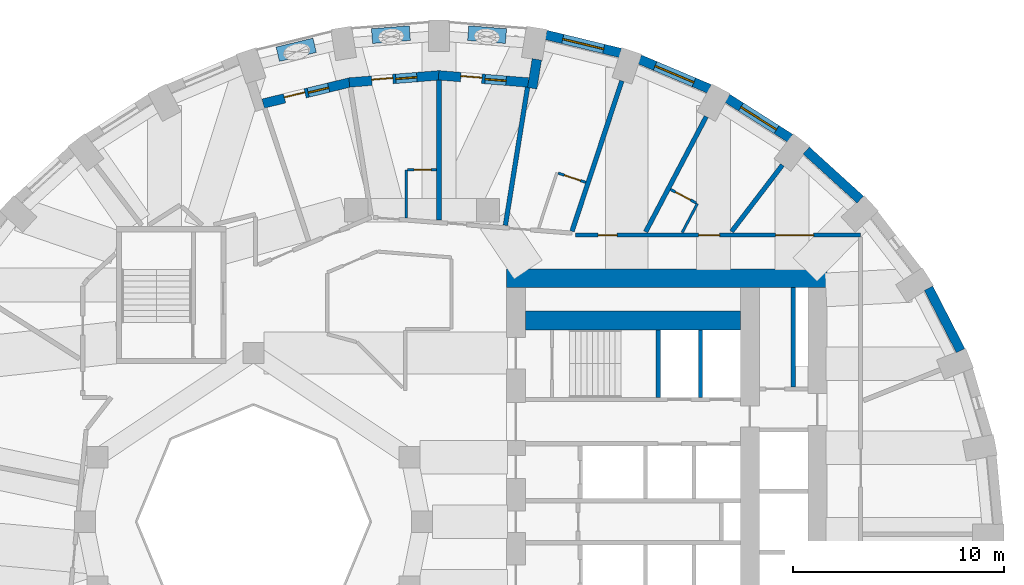
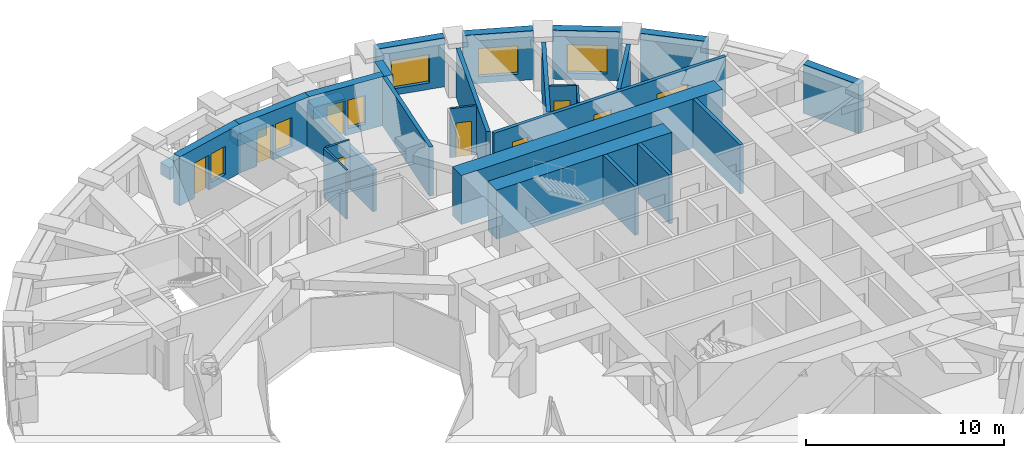
# One storey, part 8 of 12: 28 walls, 9 doors, 6 windows, 15 openings.
"""IFC4 building model written with IfcOpenShell, lengths in metres."""

from ifc_helpers import new_model, si_unit, direction, frame, frame_2d, origin, place, context, subcontext, project, spatial, rectangle, extrude, material, layer, layer_set, constituent, constituent_set, type_object, element, fill, save


model = new_model("IFC4")

# Units and contexts
model_context = context("Model", 3, precision=1e-05, world=origin(), true_north=direction((0.0, 1.0)))
body_context = subcontext(model_context, "Body", "Model", "MODEL_VIEW")
ifc_project = project(units=[si_unit("LENGTHUNIT", "METRE"), si_unit("AREAUNIT", "SQUARE_METRE"), si_unit("VOLUMEUNIT", "CUBIC_METRE"), si_unit("PLANEANGLEUNIT", "RADIAN"), si_unit("MASSUNIT", "GRAM", prefix="KILO")], contexts=[model_context])

# Site, building, storey
site_placement = place(None, origin())
site = spatial("IfcSite", under=ifc_project, at=site_placement, CompositionType="ELEMENT")
building_placement = place(site_placement, origin())
building = spatial("IfcBuilding", under=site, at=building_placement, Name="Taillehof Tower", CompositionType="ELEMENT")
storey_placement = place(building_placement, frame((0.0, 0.0, 128.5)))
storey = spatial("IfcBuildingStorey", under=building, at=storey_placement, Name="L36", CompositionType="ELEMENT", Elevation=128.5)

# Walls
ifc_material_1 = material(Name="Brick masonry", Category="masonry")
ifc_layer_1 = layer(ifc_material_1, 0.449951171875)
ifc_layer_set_1 = layer_set([ifc_layer_1], Name="Brick infill wall 450")
wall_type_1 = type_object("IfcWallType", Name="Brick infill wall 450", PredefinedType="SOLIDWALL", material=ifc_layer_set_1)
wall_1_placement = place(storey_placement, frame((25.545166015625, 8.1123046875, 0.0), z_axis=(0.0, 0.0, 1.0), x_axis=(-0.456828186229, 0.889554949549, 0.0)))
element("IfcWall", 1, at=wall_1_placement, inside=storey, type_object=wall_type_1, Name="Brick wall L36 bay 3", PredefinedType="SOLIDWALL", context=body_context, shape_type="SweptSolid", body=[
    extrude(rectangle(XDim=3.332763671875, YDim=0.449951171875, at=frame_2d((1.66650390625, 0.0))), origin(), (0.0, 0.0, 1.0), 3.02001953125),
])
wall_2_placement = place(storey_placement, frame((20.783935546875, 15.281005859375, 0.0), z_axis=(0.0, 0.0, 1.0), x_axis=(-0.74032902847, 0.672244694739, 0.0)))
element("IfcWall", 2, at=wall_2_placement, inside=storey, type_object=wall_type_1, Name="Brick wall L36 bay 5", PredefinedType="SOLIDWALL", context=body_context, shape_type="SweptSolid", body=[
    extrude(rectangle(XDim=3.4638671875, YDim=0.449951171875, at=frame_2d((1.73193359375, 0.0))), origin(), (0.0, 0.0, 1.0), 3.02001953125),
])

# Wall, opening, window
wall_3_placement = place(storey_placement, frame((17.456298828125, 18.19189453125, 0.0), z_axis=(0.0, 0.0, 1.0), x_axis=(-0.843880549131, 0.536531097699, 0.0)))
wall_3 = element("IfcWall", 3, at=wall_3_placement, inside=storey, type_object=wall_type_1, Name="Brick wall L36 bay 6", PredefinedType="SOLIDWALL", context=body_context, shape_type="SweptSolid", body=[
    extrude(rectangle(XDim=3.532470703125, YDim=0.449951171875, at=frame_2d((1.76611328125, 0.0))), origin(), (0.0, 0.0, 1.0), 3.02001953125),
])
opening_1_placement = place(wall_3_placement, frame((0.76611328125, 0.0, 0.39990234375)))
opening_1 = element("IfcOpeningElement", 4, at=opening_1_placement, cuts=wall_3, Name="Opening W2", PredefinedType="OPENING", context=body_context, shape_type="SweptSolid", body=[
    extrude(rectangle(XDim=2.0, YDim=1.75, at=frame_2d((1.0, 0.875))), frame((0.0, 0.23486328125, 0.0), z_axis=(0.0, -1.0, 0.0), x_axis=(1.0, 0.0, 0.0)), (0.0, 0.0, 1.0), 0.469970703125),
])
ifc_material_2 = material(Name="Aluminium window frame with clear double glazing", Category="aluminium")
window_type_1 = type_object("IfcWindowType", Name="Deep-set window 2000x1750", PartitioningType="SINGLE_PANEL", PredefinedType="WINDOW", material=ifc_material_2)
window_1_placement = place(opening_1_placement, origin())
window_1 = element("IfcWindow", 5, at=window_1_placement, inside=storey, type_object=window_type_1, Name="W2", OverallHeight=1.75, OverallWidth=2.0, PartitioningType="SINGLE_PANEL", PredefinedType="WINDOW", context=body_context, shape_type="SweptSolid", body=[
    extrude(rectangle(XDim=2.0, YDim=1.75, at=frame_2d((1.0, 0.875))), frame((0.0, 0.034912109375, 0.0), z_axis=(0.0, -1.0, 0.0), x_axis=(1.0, 0.0, 0.0)), (0.0, 0.0, 1.0), 0.06005859375),
])
fill(opening_1, window_1)

wall_4_placement = place(storey_placement, frame((13.625244140625, 20.533447265625, 0.0), z_axis=(0.0, 0.0, 1.0), x_axis=(-0.920869643542, 0.389870619055, 0.0)))
wall_4 = element("IfcWall", 6, at=wall_4_placement, inside=storey, type_object=wall_type_1, Name="Brick wall L36 bay 7", PredefinedType="SOLIDWALL", context=body_context, shape_type="SweptSolid", body=[
    extrude(rectangle(XDim=3.59130859375, YDim=0.449951171875, at=frame_2d((1.795654296875, 0.0))), origin(), (0.0, 0.0, 1.0), 3.02001953125),
])
opening_2_placement = place(wall_4_placement, frame((0.795654296875, 0.0, 0.39990234375)))
opening_2 = element("IfcOpeningElement", 7, at=opening_2_placement, cuts=wall_4, Name="Opening W2", PredefinedType="OPENING", context=body_context, shape_type="SweptSolid", body=[
    extrude(rectangle(XDim=2.0, YDim=1.75, at=frame_2d((1.0, 0.875))), frame((0.0, 0.23486328125, 0.0), z_axis=(0.0, -1.0, 0.0), x_axis=(1.0, 0.0, 0.0)), (0.0, 0.0, 1.0), 0.469970703125),
])
window_2_placement = place(opening_2_placement, origin())
window_2 = element("IfcWindow", 8, at=window_2_placement, inside=storey, type_object=window_type_1, Name="W2", OverallHeight=1.75, OverallWidth=2.0, PartitioningType="SINGLE_PANEL", PredefinedType="WINDOW", context=body_context, shape_type="SweptSolid", body=[
    extrude(rectangle(XDim=2.0, YDim=1.75, at=frame_2d((1.0, 0.875))), frame((0.0, 0.034912109375, 0.0), z_axis=(0.0, -1.0, 0.0), x_axis=(1.0, 0.0, 0.0)), (0.0, 0.0, 1.0), 0.06005859375),
])
fill(opening_2, window_2)

wall_5_placement = place(storey_placement, frame((9.406494140625, 22.2353515625, 0.0), z_axis=(0.0, 0.0, 1.0), x_axis=(-0.971667603162, 0.236351579148, 0.0)))
wall_5 = element("IfcWall", 9, at=wall_5_placement, inside=storey, type_object=wall_type_1, Name="Brick wall L36 bay 8", PredefinedType="SOLIDWALL", context=body_context, shape_type="SweptSolid", body=[
    extrude(rectangle(XDim=3.635009765625, YDim=0.449951171875, at=frame_2d((1.8173828125, 0.0))), origin(), (0.0, 0.0, 1.0), 3.02001953125),
])
opening_3_placement = place(wall_5_placement, frame((0.8173828125, 0.0, 0.39990234375)))
opening_3 = element("IfcOpeningElement", 10, at=opening_3_placement, cuts=wall_5, Name="Opening W2", PredefinedType="OPENING", context=body_context, shape_type="SweptSolid", body=[
    extrude(rectangle(XDim=2.0, YDim=1.75, at=frame_2d((1.0, 0.875))), frame((0.0, 0.23486328125, 0.0), z_axis=(0.0, -1.0, 0.0), x_axis=(1.0, 0.0, 0.0)), (0.0, 0.0, 1.0), 0.469970703125),
])
window_3_placement = place(opening_3_placement, origin())
window_3 = element("IfcWindow", 11, at=window_3_placement, inside=storey, type_object=window_type_1, Name="W2", OverallHeight=1.75, OverallWidth=2.0, PartitioningType="SINGLE_PANEL", PredefinedType="WINDOW", context=body_context, shape_type="SweptSolid", body=[
    extrude(rectangle(XDim=2.0, YDim=1.75, at=frame_2d((1.0, 0.875))), frame((0.0, 0.034912109375, 0.0), z_axis=(0.0, -1.0, 0.0), x_axis=(1.0, 0.0, 0.0)), (0.0, 0.0, 1.0), 0.06005859375),
])
fill(opening_3, window_3)

# Wall
wall_6_placement = place(storey_placement, frame((5.44140625, 21.932373046875, 0.0), z_axis=(0.0, 0.0, 1.0), x_axis=(-0.158586380547, -0.987345106792, 0.0)))
element("IfcWall", 12, at=wall_6_placement, inside=storey, type_object=wall_type_1, Name="Brick reveal L36 pocket 2", PredefinedType="SOLIDWALL", context=body_context, shape_type="SweptSolid", body=[
    extrude(rectangle(XDim=1.39013671875, YDim=0.449951171875, at=frame_2d((0.695068359375, 0.0))), origin(), (0.0, 0.0, 1.0), 3.02001953125),
])

# Wall, openings, door, window
wall_7_placement = place(storey_placement, frame((5.03759765625, 20.836669921875, 0.0), z_axis=(0.0, 0.0, 1.0), x_axis=(-0.996839780714, 0.079438350855, 0.0)))
wall_7 = element("IfcWall", 13, at=wall_7_placement, inside=storey, type_object=wall_type_1, Name="Brick wall L36 pocket bay 9", PredefinedType="SOLIDWALL", context=body_context, shape_type="SweptSolid", body=[
    extrude(rectangle(XDim=4.268798828125, YDim=0.449951171875, at=frame_2d((2.13427734375, 0.0))), origin(), (0.0, 0.0, 1.0), 3.02001953125),
])
opening_4_placement = place(wall_7_placement, frame((1.0595703125, 0.0, 0.39990234375)))
opening_4 = element("IfcOpeningElement", 14, at=opening_4_placement, cuts=wall_7, Name="Opening W5", PredefinedType="OPENING", context=body_context, shape_type="SweptSolid", body=[
    extrude(rectangle(XDim=1.0, YDim=1.75, at=frame_2d((0.5, 0.875))), frame((0.0, 0.23486328125, 0.0), z_axis=(0.0, -1.0, 0.0), x_axis=(1.0, 0.0, 0.0)), (0.0, 0.0, 1.0), 0.469970703125),
])
opening_5_placement = place(wall_7_placement, frame((2.20947265625, 0.0, 0.0)))
opening_5 = element("IfcOpeningElement", 15, at=opening_5_placement, cuts=wall_7, Name="Opening D3691", PredefinedType="OPENING", context=body_context, shape_type="SweptSolid", body=[
    extrude(rectangle(XDim=1.0, YDim=2.14990234375, at=frame_2d((0.5, 1.074951171875))), frame((0.0, 0.23486328125, 0.0), z_axis=(0.0, -1.0, 0.0), x_axis=(1.0, 0.0, 0.0)), (0.0, 0.0, 1.0), 0.469970703125),
])
ifc_material_3 = material(Name="Aluminium door frame with clear double glazing", Category="aluminium")
door_type_1 = type_object("IfcDoorType", Name="Balcony door 1000x2150", OperationType="SINGLE_SWING_RIGHT", PredefinedType="DOOR", material=ifc_material_3)
door_1_placement = place(opening_5_placement, frame((1.0, 0.0, 0.0), z_axis=(0.0, 0.0, 1.0), x_axis=(-1.0, 0.0, 0.0)))
door_1 = element("IfcDoor", 16, at=door_1_placement, inside=storey, type_object=door_type_1, Name="Balcony door L36 bay 9", OperationType="SINGLE_SWING_RIGHT", OverallHeight=2.14990234375, OverallWidth=1.0, PredefinedType="DOOR", context=body_context, shape_type="SweptSolid", body=[
    extrude(rectangle(XDim=1.0, YDim=2.14990234375, at=frame_2d((0.5, 1.074951171875))), frame((0.0, 0.0751953125, 0.0), z_axis=(0.0, -1.0, 0.0), x_axis=(1.0, 0.0, 0.0)), (0.0, 0.0, 1.0), 0.050048828125),
])
fill(opening_5, door_1)
ifc_material_4 = material(Name="Aluminium window frame with clear double glazing", Category="aluminium")
window_type_2 = type_object("IfcWindowType", Name="Fixed window 1000x1750", PartitioningType="SINGLE_PANEL", PredefinedType="WINDOW", material=ifc_material_4)
window_4_placement = place(opening_4_placement, origin())
window_4 = element("IfcWindow", 17, at=window_4_placement, inside=storey, type_object=window_type_2, Name="W5", OverallHeight=1.75, OverallWidth=1.0, PartitioningType="SINGLE_PANEL", PredefinedType="WINDOW", context=body_context, shape_type="SweptSolid", body=[
    extrude(rectangle(XDim=1.0, YDim=1.75, at=frame_2d((0.5, 0.875))), frame((0.0, 0.034912109375, 0.0), z_axis=(0.0, -1.0, 0.0), x_axis=(1.0, 0.0, 0.0)), (0.0, 0.0, 1.0), 0.06005859375),
])
fill(opening_4, window_4)

wall_8_placement = place(storey_placement, frame((0.81787109375, 21.17578125, 0.0), z_axis=(0.0, 0.0, 1.0), x_axis=(-0.996843824935, -0.079387585235, 0.0)))
wall_8 = element("IfcWall", 18, at=wall_8_placement, inside=storey, type_object=wall_type_1, Name="Brick wall L36 pocket bay 10", PredefinedType="SOLIDWALL", context=body_context, shape_type="SweptSolid", body=[
    extrude(rectangle(XDim=4.286865234375, YDim=0.449951171875, at=frame_2d((2.1435546875, 0.0))), origin(), (0.0, 0.0, 1.0), 3.02001953125),
])
opening_6_placement = place(wall_8_placement, frame((1.068359375, 0.0, 0.39990234375)))
opening_6 = element("IfcOpeningElement", 19, at=opening_6_placement, cuts=wall_8, Name="Opening W5", PredefinedType="OPENING", context=body_context, shape_type="SweptSolid", body=[
    extrude(rectangle(XDim=1.0, YDim=1.75, at=frame_2d((0.5, 0.875))), frame((0.0, 0.23486328125, 0.0), z_axis=(0.0, -1.0, 0.0), x_axis=(1.0, 0.0, 0.0)), (0.0, 0.0, 1.0), 0.469970703125),
])
opening_7_placement = place(wall_8_placement, frame((2.218505859375, 0.0, 0.0)))
opening_7 = element("IfcOpeningElement", 20, at=opening_7_placement, cuts=wall_8, Name="Opening D3692", PredefinedType="OPENING", context=body_context, shape_type="SweptSolid", body=[
    extrude(rectangle(XDim=1.0, YDim=2.14990234375, at=frame_2d((0.5, 1.074951171875))), frame((0.0, 0.23486328125, 0.0), z_axis=(0.0, -1.0, 0.0), x_axis=(1.0, 0.0, 0.0)), (0.0, 0.0, 1.0), 0.469970703125),
])
door_2_placement = place(opening_7_placement, frame((1.0, 0.0, 0.0), z_axis=(0.0, 0.0, 1.0), x_axis=(-1.0, 0.0, 0.0)))
door_2 = element("IfcDoor", 21, at=door_2_placement, inside=storey, type_object=door_type_1, Name="Balcony door L36 bay 10", OperationType="SINGLE_SWING_LEFT", OverallHeight=2.14990234375, OverallWidth=1.0, PredefinedType="DOOR", context=body_context, shape_type="SweptSolid", body=[
    extrude(rectangle(XDim=1.0, YDim=2.14990234375, at=frame_2d((0.5, 1.074951171875))), frame((0.0, 0.0751953125, 0.0), z_axis=(0.0, -1.0, 0.0), x_axis=(1.0, 0.0, 0.0)), (0.0, 0.0, 1.0), 0.050048828125),
])
fill(opening_7, door_2)
window_5_placement = place(opening_6_placement, origin())
window_5 = element("IfcWindow", 22, at=window_5_placement, inside=storey, type_object=window_type_2, Name="W5", OverallHeight=1.75, OverallWidth=1.0, PartitioningType="SINGLE_PANEL", PredefinedType="WINDOW", context=body_context, shape_type="SweptSolid", body=[
    extrude(rectangle(XDim=1.0, YDim=1.75, at=frame_2d((0.5, 0.875))), frame((0.0, 0.034912109375, 0.0), z_axis=(0.0, -1.0, 0.0), x_axis=(1.0, 0.0, 0.0)), (0.0, 0.0, 1.0), 0.06005859375),
])
fill(opening_6, window_5)

wall_9_placement = place(storey_placement, frame((-3.419921875, 20.841064453125, 0.0), z_axis=(0.0, 0.0, 1.0), x_axis=(-0.971511611373, -0.23699195971, 0.0)))
wall_9 = element("IfcWall", 23, at=wall_9_placement, inside=storey, type_object=wall_type_1, Name="Brick wall L36 pocket bay 11", PredefinedType="SOLIDWALL", context=body_context, shape_type="SweptSolid", body=[
    extrude(rectangle(XDim=4.2412109375, YDim=0.449951171875, at=frame_2d((2.12060546875, 0.0))), origin(), (0.0, 0.0, 1.0), 3.02001953125),
])
opening_8_placement = place(wall_9_placement, frame((1.04541015625, 0.0, 0.39990234375)))
opening_8 = element("IfcOpeningElement", 24, at=opening_8_placement, cuts=wall_9, Name="Opening W5", PredefinedType="OPENING", context=body_context, shape_type="SweptSolid", body=[
    extrude(rectangle(XDim=1.0, YDim=1.75, at=frame_2d((0.5, 0.875))), frame((0.0, 0.23486328125, 0.0), z_axis=(0.0, -1.0, 0.0), x_axis=(1.0, 0.0, 0.0)), (0.0, 0.0, 1.0), 0.469970703125),
])
opening_9_placement = place(wall_9_placement, frame((2.195556640625, 0.0, 0.0)))
opening_9 = element("IfcOpeningElement", 25, at=opening_9_placement, cuts=wall_9, Name="Opening D3693", PredefinedType="OPENING", context=body_context, shape_type="SweptSolid", body=[
    extrude(rectangle(XDim=1.0, YDim=2.14990234375, at=frame_2d((0.5, 1.074951171875))), frame((0.0, 0.23486328125, 0.0), z_axis=(0.0, -1.0, 0.0), x_axis=(1.0, 0.0, 0.0)), (0.0, 0.0, 1.0), 0.469970703125),
])
door_3_placement = place(opening_9_placement, frame((1.0, 0.0, 0.0), z_axis=(0.0, 0.0, 1.0), x_axis=(-1.0, 0.0, 0.0)))
door_3 = element("IfcDoor", 26, at=door_3_placement, inside=storey, type_object=door_type_1, Name="Balcony door L36 bay 11", OperationType="SINGLE_SWING_LEFT", OverallHeight=2.14990234375, OverallWidth=1.0, PredefinedType="DOOR", context=body_context, shape_type="SweptSolid", body=[
    extrude(rectangle(XDim=1.0, YDim=2.14990234375, at=frame_2d((0.5, 1.074951171875))), frame((0.0, 0.0751953125, 0.0), z_axis=(0.0, -1.0, 0.0), x_axis=(1.0, 0.0, 0.0)), (0.0, 0.0, 1.0), 0.050048828125),
])
fill(opening_9, door_3)
window_6_placement = place(opening_8_placement, origin())
window_6 = element("IfcWindow", 27, at=window_6_placement, inside=storey, type_object=window_type_2, Name="W5", OverallHeight=1.75, OverallWidth=1.0, PartitioningType="SINGLE_PANEL", PredefinedType="WINDOW", context=body_context, shape_type="SweptSolid", body=[
    extrude(rectangle(XDim=1.0, YDim=1.75, at=frame_2d((0.5, 0.875))), frame((0.0, 0.034912109375, 0.0), z_axis=(0.0, -1.0, 0.0), x_axis=(1.0, 0.0, 0.0)), (0.0, 0.0, 1.0), 0.06005859375),
])
fill(opening_8, window_6)

# Wall
ifc_material_5 = material(Name="Calcium silicate masonry", Category="masonry")
ifc_layer_2 = layer(ifc_material_5, 0.199951171875)
ifc_layer_set_2 = layer_set([ifc_layer_2], Name="Compartment wall calcium silicate 200")
wall_type_2 = type_object("IfcWallType", Name="Compartment wall calcium silicate 200", PredefinedType="PARTITIONING", material=ifc_layer_set_2)
wall_10_placement = place(storey_placement, frame((17.60009765625, 6.39990234375, 0.0), z_axis=(0.0, 0.0, 1.0), x_axis=(0.0, 1.0, 0.0)))
element("IfcWall", 28, at=wall_10_placement, inside=storey, type_object=wall_type_2, Name="Compartment wall FW", PredefinedType="PARTITIONING", context=body_context, shape_type="SweptSolid", body=[
    extrude(rectangle(XDim=4.7001953125, YDim=0.199951171875, at=frame_2d((2.35009765625, 0.0))), origin(), (0.0, 0.0, 1.0), 3.02001953125),
])

# Wall, openings, doors
ifc_material_6 = material(Name="Gypsum board on steel studs, two layers each side", Category="steel")
ifc_layer_3 = layer(ifc_material_6, 0.199951171875)
ifc_layer_set_3 = layer_set([ifc_layer_3], Name="Compartment wall corridor 200")
wall_type_3 = type_object("IfcWallType", Name="Compartment wall corridor 200", PredefinedType="PARTITIONING", material=ifc_layer_set_3)
wall_11_placement = place(storey_placement, frame((7.276123046875, 13.60009765625, 0.0), z_axis=(0.0, 0.0, 1.0), x_axis=(1.0, 0.0, 0.0)))
wall_11 = element("IfcWall", 29, at=wall_11_placement, inside=storey, type_object=wall_type_3, Name="Compartment wall", PredefinedType="PARTITIONING", context=body_context, shape_type="SweptSolid", body=[
    extrude(rectangle(XDim=13.52392578125, YDim=0.199951171875, at=frame_2d((6.761962890625, 0.0))), origin(), (0.0, 0.0, 1.0), 3.02001953125),
])
opening_10_placement = place(wall_11_placement, frame((5.839111328125, 0.0, 0.0)))
opening_10 = element("IfcOpeningElement", 30, at=opening_10_placement, cuts=wall_11, Name="Opening D3640", PredefinedType="OPENING", context=body_context, shape_type="SweptSolid", body=[
    extrude(rectangle(XDim=1.0, YDim=2.10009765625, at=frame_2d((0.5, 1.050048828125))), frame((0.0, 0.10986328125, 0.0), z_axis=(0.0, -1.0, 0.0), x_axis=(1.0, 0.0, 0.0)), (0.0, 0.0, 1.0), 0.219970703125),
])
opening_11_placement = place(wall_11_placement, frame((1.072509765625, 0.0, 0.0)))
opening_11 = element("IfcOpeningElement", 31, at=opening_11_placement, cuts=wall_11, Name="Opening D3642", PredefinedType="OPENING", context=body_context, shape_type="SweptSolid", body=[
    extrude(rectangle(XDim=0.89990234375, YDim=2.10009765625, at=frame_2d((0.449951171875, 1.050048828125))), frame((0.0, 0.10986328125, 0.0), z_axis=(0.0, -1.0, 0.0), x_axis=(1.0, 0.0, 0.0)), (0.0, 0.0, 1.0), 0.219970703125),
])
opening_12_placement = place(wall_11_placement, frame((9.49365234375, 0.0, 0.0)))
opening_12 = element("IfcOpeningElement", 32, at=opening_12_placement, cuts=wall_11, Name="Opening D3667", PredefinedType="OPENING", context=body_context, shape_type="SweptSolid", body=[
    extrude(rectangle(XDim=1.800048828125, YDim=2.10009765625, at=frame_2d((0.89990234375, 1.050048828125))), frame((0.0, 0.10986328125, 0.0), z_axis=(0.0, -1.0, 0.0), x_axis=(1.0, 0.0, 0.0)), (0.0, 0.0, 1.0), 0.219970703125),
])
ifc_material_7 = material(Name="Timber door leaf in steel frame", Category="steel")
door_type_2 = type_object("IfcDoorType", Name="Guest room door EI 30 1000 x 2100", OperationType="SINGLE_SWING_LEFT", PredefinedType="DOOR", material=ifc_material_7)
door_4_placement = place(opening_10_placement, origin())
door_4 = element("IfcDoor", 33, at=door_4_placement, inside=storey, type_object=door_type_2, Name="D3640", OperationType="SINGLE_SWING_RIGHT", OverallHeight=2.10009765625, OverallWidth=1.0, PredefinedType="DOOR", context=body_context, shape_type="SweptSolid", body=[
    extrude(rectangle(XDim=1.0, YDim=2.10009765625, at=frame_2d((0.5, 1.050048828125))), frame((0.0, 0.02490234375, 0.0), z_axis=(0.0, -1.0, 0.0), x_axis=(1.0, 0.0, 0.0)), (0.0, 0.0, 1.0), 0.050048828125),
])
fill(opening_10, door_4)
ifc_material_8 = material(Name="Timber door leaf in steel frame", Category="steel")
door_type_3 = type_object("IfcDoorType", Name="Lounge and meeting room double door EI 30 1800 x 2100", OperationType="SINGLE_SWING_LEFT", PredefinedType="DOOR", material=ifc_material_8)
door_5_placement = place(opening_12_placement, origin())
door_5 = element("IfcDoor", 34, at=door_5_placement, inside=storey, type_object=door_type_3, Name="D3667", OperationType="DOUBLE_DOOR_SINGLE_SWING", OverallHeight=2.10009765625, OverallWidth=1.800048828125, PredefinedType="DOOR", context=body_context, shape_type="SweptSolid", body=[
    extrude(rectangle(XDim=1.800048828125, YDim=2.10009765625, at=frame_2d((0.89990234375, 1.050048828125))), frame((0.0, 0.02490234375, 0.0), z_axis=(0.0, -1.0, 0.0), x_axis=(1.0, 0.0, 0.0)), (0.0, 0.0, 1.0), 0.050048828125),
])
fill(opening_12, door_5)
ifc_material_9 = material(Name="Timber door leaf in steel frame", Category="steel")
door_type_4 = type_object("IfcDoorType", Name="Service room door EI 30 900 x 2100", OperationType="SINGLE_SWING_LEFT", PredefinedType="DOOR", material=ifc_material_9)
door_6_placement = place(opening_11_placement, origin())
door_6 = element("IfcDoor", 35, at=door_6_placement, inside=storey, type_object=door_type_4, Name="D3642", OperationType="SINGLE_SWING_LEFT", OverallHeight=2.10009765625, OverallWidth=0.89990234375, PredefinedType="DOOR", context=body_context, shape_type="SweptSolid", body=[
    extrude(rectangle(XDim=0.89990234375, YDim=2.10009765625, at=frame_2d((0.449951171875, 1.050048828125))), frame((0.0, 0.02490234375, 0.0), z_axis=(0.0, -1.0, 0.0), x_axis=(1.0, 0.0, 0.0)), (0.0, 0.0, 1.0), 0.050048828125),
])
fill(opening_11, door_6)

# Walls
ifc_material_10 = material(Name="Gypsum board on double steel studs with mineral wool", Category="steel")
ifc_layer_4 = layer(ifc_material_10, 0.219970703125)
ifc_layer_set_4 = layer_set([ifc_layer_4], Name="Compartment wall guest room 220")
wall_type_4 = type_object("IfcWallType", Name="Compartment wall guest room 220", PredefinedType="PARTITIONING", material=ifc_layer_set_4)
wall_12_placement = place(storey_placement, frame((17.08935546875, 16.9208984375, 0.0), z_axis=(0.0, 0.0, 1.0), x_axis=(-0.607055443677, -0.794659479464, 0.0)))
element("IfcWall", 36, at=wall_12_placement, inside=storey, type_object=wall_type_4, Name="Compartment wall", PredefinedType="PARTITIONING", context=body_context, shape_type="SweptSolid", body=[
    extrude(rectangle(XDim=3.97314453125, YDim=0.219970703125, at=frame_2d((1.986572265625, 0.0))), origin(), (0.0, 0.0, 1.0), 3.02001953125),
])
wall_13_placement = place(storey_placement, frame((13.47607421875, 19.217529296875, 0.0), z_axis=(0.0, 0.0, 1.0), x_axis=(-0.465345394262, -0.885129179295, 0.0)))
element("IfcWall", 37, at=wall_13_placement, inside=storey, type_object=wall_type_4, Name="Compartment wall", PredefinedType="PARTITIONING", context=body_context, shape_type="SweptSolid", body=[
    extrude(rectangle(XDim=6.1728515625, YDim=0.219970703125, at=frame_2d((3.08642578125, 0.0))), origin(), (0.0, 0.0, 1.0), 3.02001953125),
])
wall_14_placement = place(storey_placement, frame((9.4736328125, 20.911865234375, 0.0), z_axis=(0.0, 0.0, 1.0), x_axis=(-0.314530608669, -0.949247331421, 0.0)))
element("IfcWall", 38, at=wall_14_placement, inside=storey, type_object=wall_type_4, Name="Compartment wall", PredefinedType="PARTITIONING", context=body_context, shape_type="SweptSolid", body=[
    extrude(rectangle(XDim=7.51123046875, YDim=0.219970703125, at=frame_2d((3.755615234375, 0.0))), origin(), (0.0, 0.0, 1.0), 3.02001953125),
])
wall_15_placement = place(storey_placement, frame((5.001708984375, 20.614013671875, 0.0), z_axis=(0.0, 0.0, 1.0), x_axis=(-0.158502645231, -0.987358552632, 0.0)))
element("IfcWall", 39, at=wall_15_placement, inside=storey, type_object=wall_type_4, Name="Compartment wall", PredefinedType="PARTITIONING", context=body_context, shape_type="SweptSolid", body=[
    extrude(rectangle(XDim=6.63720703125, YDim=0.219970703125, at=frame_2d((3.318603515625, 0.0))), origin(), (0.0, 0.0, 1.0), 3.02001953125),
])
wall_16_placement = place(storey_placement, frame((0.800048828125, 20.948486328125, 0.0), z_axis=(0.0, 0.0, 1.0), x_axis=(0.0, -1.0, 0.0)))
element("IfcWall", 40, at=wall_16_placement, inside=storey, type_object=wall_type_4, Name="Compartment wall", PredefinedType="PARTITIONING", context=body_context, shape_type="SweptSolid", body=[
    extrude(rectangle(XDim=6.63818359375, YDim=0.219970703125, at=frame_2d((3.319091796875, 0.0))), origin(), (0.0, 0.0, 1.0), 2.570068359375),
])
ifc_material_11 = material(Name="Concrete C80/95", Category="concrete")
ifc_layer_5 = layer(ifc_material_11, 0.89990234375)
ifc_layer_set_5 = layer_set([ifc_layer_5], Name="Core wall C80/95 900")
wall_type_5 = type_object("IfcWallType", Name="Core wall C80/95 900", PredefinedType="SHEAR", material=ifc_layer_set_5)
wall_17_placement = place(storey_placement, frame((4.0, 11.550048828125, 0.0), z_axis=(0.0, 0.0, 1.0), x_axis=(1.0, 0.0, 0.0)))
element("IfcWall", 41, at=wall_17_placement, inside=storey, type_object=wall_type_5, Name="Core wall CW03", PredefinedType="SHEAR", context=body_context, shape_type="SweptSolid", body=[
    extrude(rectangle(XDim=15.199951171875, YDim=0.89990234375, at=frame_2d((7.60009765625, 0.0))), origin(), (0.0, 0.0, 1.0), 3.02001953125),
])
wall_18_placement = place(storey_placement, frame((4.89990234375, 9.550048828125, 0.0), z_axis=(0.0, 0.0, 1.0), x_axis=(1.0, 0.0, 0.0)))
element("IfcWall", 42, at=wall_18_placement, inside=storey, type_object=wall_type_5, Name="Core wall CW06", PredefinedType="SHEAR", context=body_context, shape_type="SweptSolid", body=[
    extrude(rectangle(XDim=10.2001953125, YDim=0.89990234375, at=frame_2d((5.10009765625, 0.0))), origin(), (0.0, 0.0, 1.0), 3.02001953125),
])
ifc_material_12 = material(Name="Gypsum board on steel studs, moisture resistant", Category="steel")
ifc_layer_6 = layer(ifc_material_12, 0.1201171875)
ifc_layer_set_6 = layer_set([ifc_layer_6], Name="En-suite wall 120")
wall_type_6 = type_object("IfcWallType", Name="En-suite wall 120", PredefinedType="PARTITIONING", material=ifc_layer_set_6)
wall_19_placement = place(storey_placement, frame((12.3359375, 13.718017578125, 0.0), z_axis=(0.0, 0.0, 1.0), x_axis=(0.465428746876, 0.88508535271, 0.0)))
element("IfcWall", 43, at=wall_19_placement, inside=storey, type_object=wall_type_6, Name="En-suite wall", PredefinedType="PARTITIONING", context=body_context, shape_type="SweptSolid", body=[
    extrude(rectangle(XDim=1.55224609375, YDim=0.1201171875, at=frame_2d((0.776123046875, 0.0))), origin(), (0.0, 0.0, 1.0), 3.02001953125),
])
wall_20_placement = place(storey_placement, frame((-0.75, 14.4130859375, 0.0), z_axis=(0.0, 0.0, 1.0), x_axis=(0.0, 1.0, 0.0)))
element("IfcWall", 44, at=wall_20_placement, inside=storey, type_object=wall_type_6, Name="En-suite wall", PredefinedType="PARTITIONING", context=body_context, shape_type="SweptSolid", body=[
    extrude(rectangle(XDim=2.27685546875, YDim=0.1201171875, at=frame_2d((1.138427734375, 0.0))), origin(), (0.0, 0.0, 1.0), 3.02001953125),
])

# Wall, opening, door
wall_21_placement = place(storey_placement, frame((13.005126953125, 15.11962890625, 0.0), z_axis=(0.0, 0.0, 1.0), x_axis=(-0.885148383454, 0.465308864378, 0.0)))
wall_21 = element("IfcWall", 45, at=wall_21_placement, inside=storey, type_object=wall_type_6, Name="En-suite wall", PredefinedType="PARTITIONING", context=body_context, shape_type="SweptSolid", body=[
    extrude(rectangle(XDim=1.3798828125, YDim=0.1201171875, at=frame_2d((0.68994140625, 0.0))), origin(), (0.0, 0.0, 1.0), 3.02001953125),
])
opening_13_placement = place(wall_21_placement, frame((0.31494140625, 0.0, 0.0)))
opening_13 = element("IfcOpeningElement", 46, at=opening_13_placement, cuts=wall_21, Name="Opening D3641", PredefinedType="OPENING", context=body_context, shape_type="SweptSolid", body=[
    extrude(rectangle(XDim=0.800048828125, YDim=2.10009765625, at=frame_2d((0.39990234375, 1.050048828125))), frame((0.0, 0.070068359375, 0.0), z_axis=(0.0, -1.0, 0.0), x_axis=(1.0, 0.0, 0.0)), (0.0, 0.0, 1.0), 0.14013671875),
])
ifc_material_13 = material(Name="Timber door leaf in steel frame", Category="steel")
door_type_5 = type_object("IfcDoorType", Name="En-suite door 800 x 2100", OperationType="SINGLE_SWING_LEFT", PredefinedType="DOOR", material=ifc_material_13)
door_7_placement = place(opening_13_placement, origin())
door_7 = element("IfcDoor", 47, at=door_7_placement, inside=storey, type_object=door_type_5, Name="D3641", OperationType="SINGLE_SWING_LEFT", OverallHeight=2.10009765625, OverallWidth=0.800048828125, PredefinedType="DOOR", context=body_context, shape_type="SweptSolid", body=[
    extrude(rectangle(XDim=0.800048828125, YDim=2.10009765625, at=frame_2d((0.39990234375, 1.050048828125))), frame((0.0, 0.02490234375, 0.0), z_axis=(0.0, -1.0, 0.0), x_axis=(1.0, 0.0, 0.0)), (0.0, 0.0, 1.0), 0.050048828125),
])
fill(opening_13, door_7)

wall_22_placement = place(storey_placement, frame((6.45361328125, 16.53369140625, 0.0), z_axis=(0.0, 0.0, 1.0), x_axis=(0.949265680417, -0.314475226342, 0.0)))
wall_22 = element("IfcWall", 48, at=wall_22_placement, inside=storey, type_object=wall_type_6, Name="En-suite wall", PredefinedType="PARTITIONING", context=body_context, shape_type="SweptSolid", body=[
    extrude(rectangle(XDim=1.379638671875, YDim=0.1201171875, at=frame_2d((0.68994140625, 0.0))), origin(), (0.0, 0.0, 1.0), 3.02001953125),
])
opening_14_placement = place(wall_22_placement, frame((0.314697265625, 0.0, 0.0)))
opening_14 = element("IfcOpeningElement", 49, at=opening_14_placement, cuts=wall_22, Name="Opening D3644", PredefinedType="OPENING", context=body_context, shape_type="SweptSolid", body=[
    extrude(rectangle(XDim=0.800048828125, YDim=2.10009765625, at=frame_2d((0.39990234375, 1.050048828125))), frame((0.0, 0.070068359375, 0.0), z_axis=(0.0, -1.0, 0.0), x_axis=(1.0, 0.0, 0.0)), (0.0, 0.0, 1.0), 0.14013671875),
])
door_8_placement = place(opening_14_placement, origin())
door_8 = element("IfcDoor", 50, at=door_8_placement, inside=storey, type_object=door_type_5, Name="D3644", OperationType="SINGLE_SWING_LEFT", OverallHeight=2.10009765625, OverallWidth=0.800048828125, PredefinedType="DOOR", context=body_context, shape_type="SweptSolid", body=[
    extrude(rectangle(XDim=0.800048828125, YDim=2.10009765625, at=frame_2d((0.39990234375, 1.050048828125))), frame((0.0, 0.02490234375, 0.0), z_axis=(0.0, -1.0, 0.0), x_axis=(1.0, 0.0, 0.0)), (0.0, 0.0, 1.0), 0.050048828125),
])
fill(opening_14, door_8)

wall_23_placement = place(storey_placement, frame((-0.68994140625, 16.68994140625, 0.0), z_axis=(0.0, 0.0, 1.0), x_axis=(1.0, 0.0, 0.0)))
wall_23 = element("IfcWall", 51, at=wall_23_placement, inside=storey, type_object=wall_type_6, Name="En-suite wall", PredefinedType="PARTITIONING", context=body_context, shape_type="SweptSolid", body=[
    extrude(rectangle(XDim=1.3798828125, YDim=0.1201171875, at=frame_2d((0.68994140625, 0.0))), origin(), (0.0, 0.0, 1.0), 3.02001953125),
])
opening_15_placement = place(wall_23_placement, frame((0.31494140625, 0.0, 0.0)))
opening_15 = element("IfcOpeningElement", 52, at=opening_15_placement, cuts=wall_23, Name="Opening D3647", PredefinedType="OPENING", context=body_context, shape_type="SweptSolid", body=[
    extrude(rectangle(XDim=0.800048828125, YDim=2.10009765625, at=frame_2d((0.39990234375, 1.050048828125))), frame((0.0, 0.070068359375, 0.0), z_axis=(0.0, -1.0, 0.0), x_axis=(1.0, 0.0, 0.0)), (0.0, 0.0, 1.0), 0.14013671875),
])
door_9_placement = place(opening_15_placement, origin())
door_9 = element("IfcDoor", 53, at=door_9_placement, inside=storey, type_object=door_type_5, Name="D3647", OperationType="SINGLE_SWING_RIGHT", OverallHeight=2.10009765625, OverallWidth=0.800048828125, PredefinedType="DOOR", context=body_context, shape_type="SweptSolid", body=[
    extrude(rectangle(XDim=0.800048828125, YDim=2.10009765625, at=frame_2d((0.39990234375, 1.050048828125))), frame((0.0, 0.02490234375, 0.0), z_axis=(0.0, -1.0, 0.0), x_axis=(1.0, 0.0, 0.0)), (0.0, 0.0, 1.0), 0.050048828125),
])
fill(opening_15, door_9)

# Walls
ifc_material_14 = material(Name="Concrete C30/37 precast", Category="concrete")
ifc_constituent_1 = constituent(ifc_material_14, Name="Structure", Category="concrete")
ifc_material_15 = material(Name="Insulated lining")
ifc_constituent_2 = constituent(ifc_material_15, Name="Lining")
ifc_constituent_set = constituent_set(constituents=[ifc_constituent_1, ifc_constituent_2], Name="Planter trough 700x750")
wall_type_7 = type_object("IfcWallType", Name="Planter trough 700x750", PredefinedType="USERDEFINED", material=ifc_constituent_set)
for number, where, z_axis, x_axis, name in (
    (54, (3.97802734375, 23.035888671875, 0.0), (0.0, 0.0, 1.0), (-0.996858257414, 0.079206152698, 0.0), "Planter L36 bay 9"),
    (55, (-0.58349609375, 23.178466796875, 0.0), (0.0, 0.0, 1.0), (-0.996858257414, -0.079206152698, 0.0), "Planter L36 bay 10"),
    (56, (-5.098876953125, 22.6005859375, 0.0), (0.0, 0.0, 1.0), (-0.971654974133, -0.23640349245, 0.0), "Planter L36 bay 11"),
):
    element("IfcWall", number, at=place(storey_placement, frame(where, z_axis=z_axis, x_axis=x_axis)), inside=storey, type_object=wall_type_7, Name=name, ObjectType="PLANTER", PredefinedType="USERDEFINED", context=body_context, shape_type="SweptSolid", body=[
        extrude(rectangle(XDim=1.800048828125, YDim=0.699951171875, at=frame_2d((0.89990234375, 0.0))), origin(), (0.0, 0.0, 1.0), 0.75),
    ])
ifc_material_16 = material(Name="Concrete C50/60", Category="concrete")
ifc_layer_7 = layer(ifc_material_16, 0.199951171875)
ifc_layer_set_7 = layer_set([ifc_layer_7], Name="Shaft wall C50/60 200")
wall_type_8 = type_object("IfcWallType", Name="Shaft wall C50/60 200", PredefinedType="SHEAR", material=ifc_layer_set_7)
for number, where, z_axis, x_axis, name in (
    (57, (11.199951171875, 5.89990234375, 0.0), (0.0, 0.0, 1.0), (0.0, 1.0, 0.0), "Shaft wall SW"),
    (58, (13.199951171875, 5.89990234375, 0.0), (0.0, 0.0, 1.0), (0.0, 1.0, 0.0), "Shaft wall SW"),
):
    element("IfcWall", number, at=place(storey_placement, frame(where, z_axis=z_axis, x_axis=x_axis)), inside=storey, type_object=wall_type_8, Name=name, PredefinedType="SHEAR", context=body_context, shape_type="SweptSolid", body=[
        extrude(rectangle(XDim=3.2001953125, YDim=0.199951171875, at=frame_2d((1.60009765625, 0.0))), origin(), (0.0, 0.0, 1.0), 3.02001953125),
    ])

save(model, "model.ifc")
